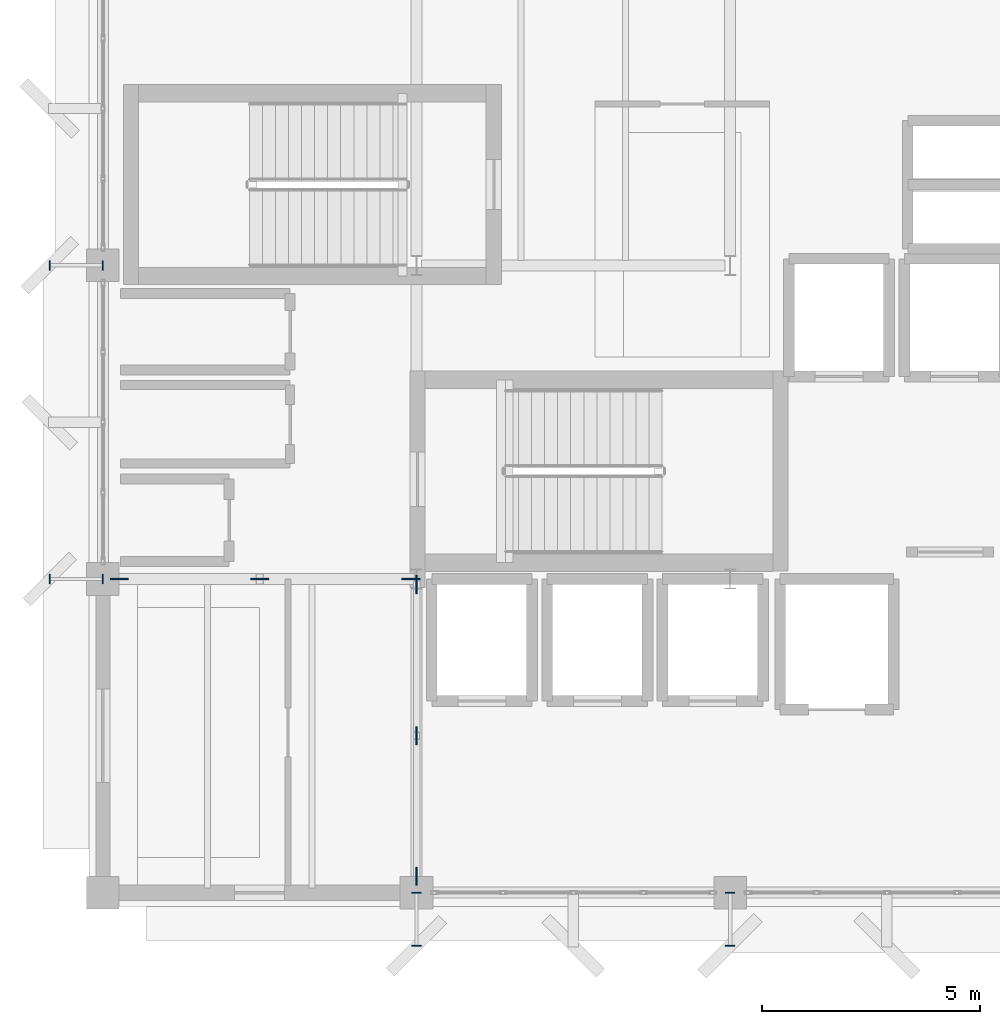
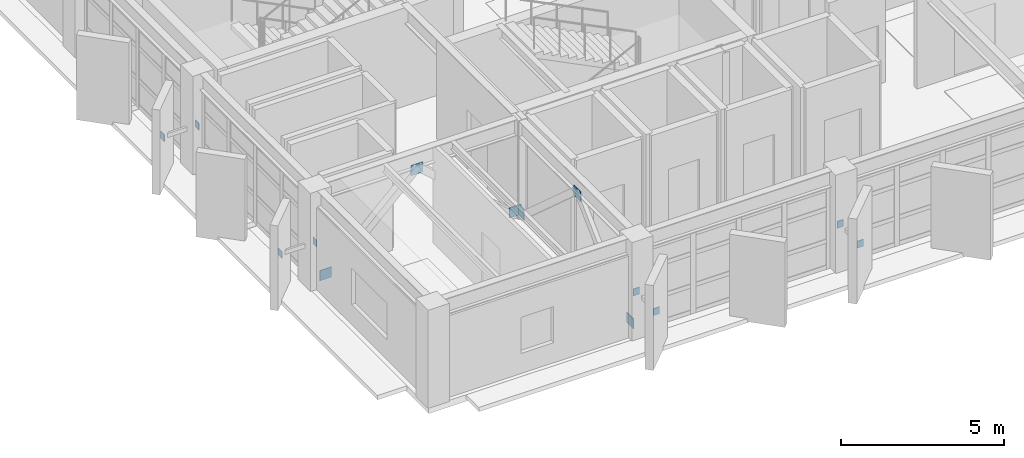
# One storey, part 19 of 24: 14 discrete accessories.
"""IFC4 building model written with IfcOpenShell, lengths in metres."""

from ifc_helpers import new_model, si_unit, direction, frame, origin, origin_2d, place, context, subcontext, project, spatial, rectangle, extrude, material, type_object, element, save


model = new_model("IFC4")

# Units and contexts
model_context = context("Model", 3, precision=1e-05, world=origin(), true_north=direction((0.0, 1.0)))
body_context = subcontext(model_context, "Body", "Model", "MODEL_VIEW")
ifc_project = project(units=[si_unit("LENGTHUNIT", "METRE"), si_unit("AREAUNIT", "SQUARE_METRE"), si_unit("VOLUMEUNIT", "CUBIC_METRE"), si_unit("PLANEANGLEUNIT", "RADIAN"), si_unit("MASSUNIT", "GRAM", prefix="KILO")], contexts=[model_context])

# Site, building, storey
site_placement = place(None, origin())
site = spatial("IfcSite", under=ifc_project, at=site_placement, CompositionType="ELEMENT")
building_placement = place(site_placement, origin())
building = spatial("IfcBuilding", under=site, at=building_placement, Name="Kandorven Conservatory and Botanical Research Centre", CompositionType="ELEMENT")
storey_placement = place(building_placement, frame((0.0, 0.0, 21.0)))
storey = spatial("IfcBuildingStorey", under=building, at=storey_placement, Name="L05", CompositionType="ELEMENT", Elevation=21.0)

# Discrete accessories
ifc_material_1 = material(Name="Steel S355 (IS 2062 E350)", Category="steel")
discrete_accessory_type_1 = type_object("IfcDiscreteAccessoryType", Name="BraceGussetPlate", PredefinedType="BRACKET", material=ifc_material_1)
for number, where, z_axis, x_axis, name in (
    (1, (6.375, 13.199951171875, -0.010009765625), (0.0, 0.0, 1.0), (1.0, 0.0, 0.0), "Welded chevron brace gusset plate L05 X-W"),
    (2, (9.60009765625, 13.199951171875, 2.7900390625), (0.0, 0.0, 1.0), (1.0, 0.0, 0.0), "Welded chevron brace gusset plate L05 X-M"),
    (3, (13.074951171875, 13.199951171875, -0.010009765625), (0.0, 0.0, 1.0), (1.0, 0.0, 0.0), "Welded chevron brace gusset plate L05 X-E"),
):
    element("IfcDiscreteAccessory", number, at=place(storey_placement, frame(where, z_axis=z_axis, x_axis=x_axis)), inside=storey, type_object=discrete_accessory_type_1, Name=name, PredefinedType="BRACKET", context=body_context, shape_type="SweptSolid", body=[
        extrude(rectangle(XDim=0.419921875, YDim=0.028076171875, at=origin_2d()), origin(), (0.0, 0.0, 1.0), 0.3798828125),
    ])
for number, where, z_axis, x_axis, name in (
    (4, (13.199951171875, 6.375, -0.010009765625), (0.0, 0.0, 1.0), (1.0, 0.0, 0.0), "Welded chevron brace gusset plate L05 Y-S"),
    (5, (13.199951171875, 9.60009765625, 2.7900390625), (0.0, 0.0, 1.0), (1.0, 0.0, 0.0), "Welded chevron brace gusset plate L05 Y-M"),
    (6, (13.199951171875, 13.074951171875, -0.010009765625), (0.0, 0.0, 1.0), (1.0, 0.0, 0.0), "Welded chevron brace gusset plate L05 Y-N"),
):
    element("IfcDiscreteAccessory", number, at=place(storey_placement, frame(where, z_axis=z_axis, x_axis=x_axis)), inside=storey, type_object=discrete_accessory_type_1, Name=name, PredefinedType="BRACKET", context=body_context, shape_type="SweptSolid", body=[
        extrude(rectangle(XDim=0.028076171875, YDim=0.419921875, at=origin_2d()), origin(), (0.0, 0.0, 1.0), 0.3798828125),
    ])
ifc_material_2 = material(Name="Steel S355 (IS 2062 E350)", Category="steel")
discrete_accessory_type_2 = type_object("IfcDiscreteAccessoryType", Name="SteelGussetPlate", PredefinedType="BRACKET", material=ifc_material_2)
for number, where, z_axis, x_axis, name in (
    (7, (13.199951171875, 6.0, 1.3701171875), (0.0, 0.0, 1.0), (1.0, 0.0, 0.0), "Welded steel strut end-plate GUS-01 #45A"),
    (8, (13.199951171875, 4.780029296875, 1.3701171875), (0.0, 0.0, 1.0), (1.0, 0.0, 0.0), "Welded steel strut end-plate GUS-01 #45B"),
    (9, (20.39990234375, 6.0, 1.3701171875), (0.0, 0.0, 1.0), (1.0, 0.0, 0.0), "Welded steel strut end-plate GUS-01 #47A"),
    (10, (20.39990234375, 4.780029296875, 1.3701171875), (0.0, 0.0, 1.0), (1.0, 0.0, 0.0), "Welded steel strut end-plate GUS-01 #47B"),
):
    element("IfcDiscreteAccessory", number, at=place(storey_placement, frame(where, z_axis=z_axis, x_axis=x_axis)), inside=storey, type_object=discrete_accessory_type_2, Name=name, PredefinedType="BRACKET", context=body_context, shape_type="SweptSolid", body=[
        extrude(rectangle(XDim=0.219970703125, YDim=0.02392578125, at=origin_2d()), origin(), (0.0, 0.0, 1.0), 0.260009765625),
    ])
for number, where, z_axis, x_axis, name in (
    (11, (6.0, 13.199951171875, 1.3701171875), (0.0, 0.0, 1.0), (1.0, 0.0, 0.0), "Welded steel strut end-plate GUS-01 #51A"),
    (12, (4.780029296875, 13.199951171875, 1.3701171875), (0.0, 0.0, 1.0), (1.0, 0.0, 0.0), "Welded steel strut end-plate GUS-01 #51B"),
    (13, (6.0, 20.39990234375, 1.3701171875), (0.0, 0.0, 1.0), (1.0, 0.0, 0.0), "Welded steel strut end-plate GUS-01 #53A"),
    (14, (4.780029296875, 20.39990234375, 1.3701171875), (0.0, 0.0, 1.0), (1.0, 0.0, 0.0), "Welded steel strut end-plate GUS-01 #53B"),
):
    element("IfcDiscreteAccessory", number, at=place(storey_placement, frame(where, z_axis=z_axis, x_axis=x_axis)), inside=storey, type_object=discrete_accessory_type_2, Name=name, PredefinedType="BRACKET", context=body_context, shape_type="SweptSolid", body=[
        extrude(rectangle(XDim=0.02392578125, YDim=0.219970703125, at=origin_2d()), origin(), (0.0, 0.0, 1.0), 0.260009765625),
    ])

save(model, "model.ifc")
